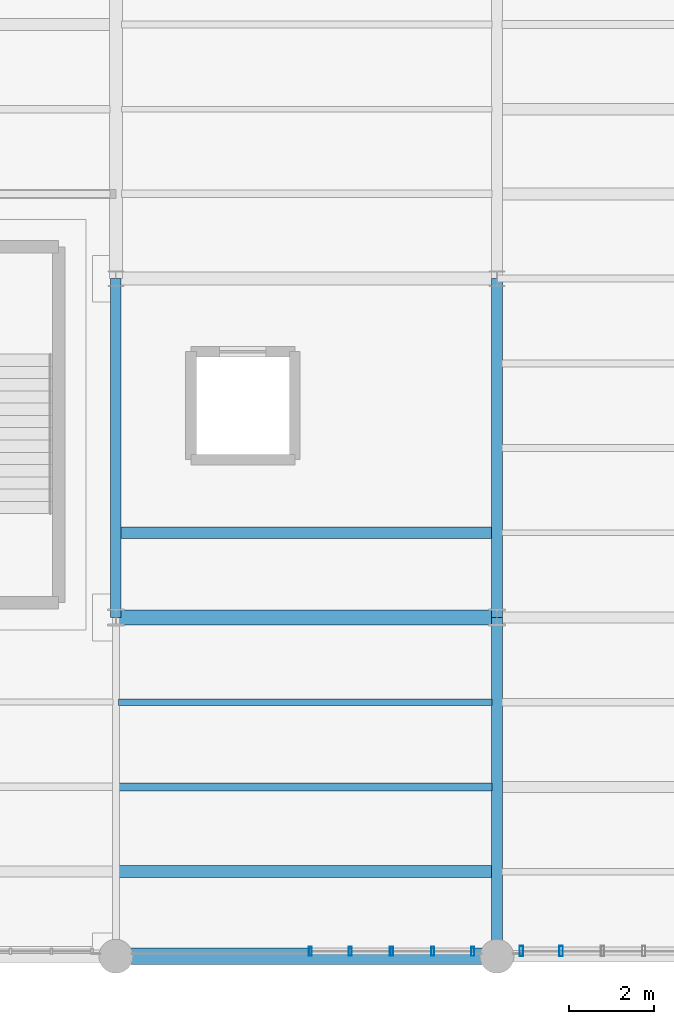
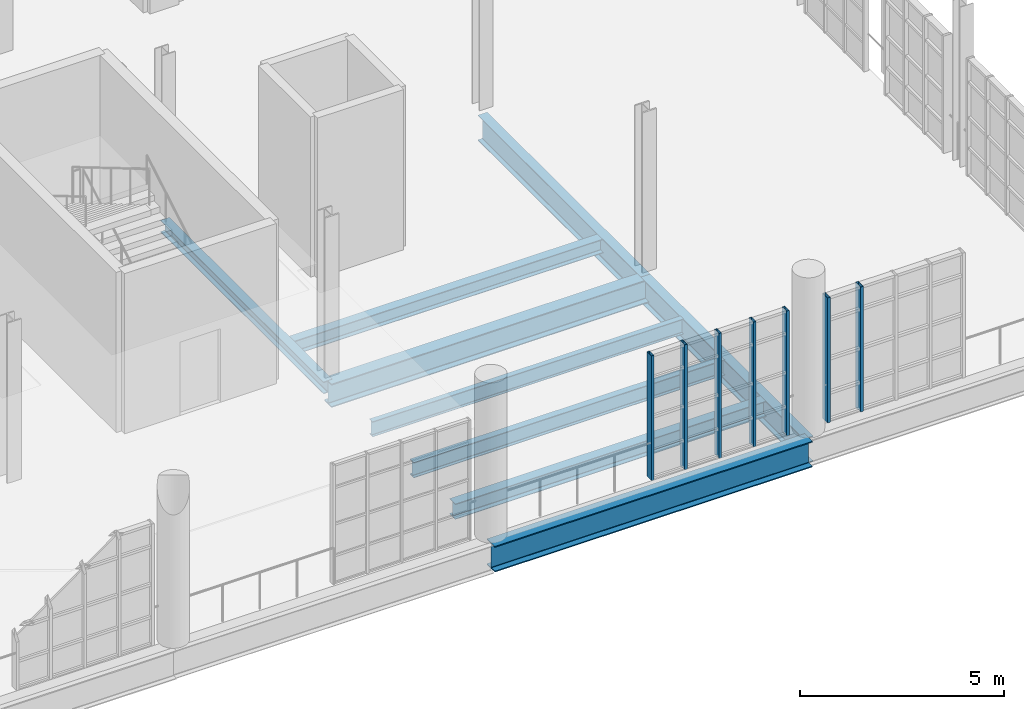
# One storey, part 26 of 122: 9 beams, 7 members, 2 elements without a shape of their own.
"""IFC4 building model written with IfcOpenShell, lengths in metres."""

from ifc_helpers import new_model, si_unit, direction, frame, origin, origin_2d, place, context, subcontext, project, spatial, hollow_rectangle, i_section, extrude, material, layer, layer_set, material_profile, profile_set, type_object, element, aggregate, save


model = new_model("IFC4")

# Units and contexts
model_context = context("Model", 3, precision=1e-05, world=origin(), true_north=direction((0.0, 1.0)))
body_context = subcontext(model_context, "Body", "Model", "MODEL_VIEW")
ifc_project = project(units=[si_unit("LENGTHUNIT", "METRE"), si_unit("AREAUNIT", "SQUARE_METRE"), si_unit("VOLUMEUNIT", "CUBIC_METRE"), si_unit("PLANEANGLEUNIT", "RADIAN"), si_unit("MASSUNIT", "GRAM", prefix="KILO"), si_unit("THERMODYNAMICTEMPERATUREUNIT", "KELVIN"), si_unit("POWERUNIT", "WATT")], contexts=[model_context])

# Site, building, storey
site_placement = place(None, origin())
site = spatial("IfcSite", under=ifc_project, at=site_placement, CompositionType="ELEMENT")
building_placement = place(site_placement, origin())
building = spatial("IfcBuilding", under=site, at=building_placement, Name="Zelmaris Science Centre", CompositionType="ELEMENT")
storey_placement = place(building_placement, frame((0.0, 0.0, 10.800048828125)))
storey = spatial("IfcBuildingStorey", under=building, at=storey_placement, Name="L02", CompositionType="ELEMENT", Elevation=10.800048828125)

# Curtain wall, members
ifc_material_1 = material(Name="Anodised architectural aluminium 6063-T6", Category="aluminium")
ifc_layer_1 = layer(ifc_material_1, 0.199951171875, Name="Anodised architectural aluminium 6063-T6")
ifc_layer_set_1 = layer_set([ifc_layer_1], Name="Anodised architectural aluminium 6063-T6")
curtain_wall_type_1 = type_object("IfcCurtainWallType", Name="Curtain Wall CW-02", PredefinedType="USERDEFINED", material=ifc_layer_set_1)
curtain_wall_1_placement = place(storey_placement, origin())
curtain_wall_1 = element("IfcCurtainWall", 1, at=curtain_wall_1_placement, inside=storey, type_object=curtain_wall_type_1, Name="L02 Unitised curtain wall 238", ObjectType="GLAZED CURTAIN WALL", PredefinedType="USERDEFINED")
ifc_material_profile_1 = material_profile(ifc_material_1, hollow_rectangle(XDim=0.074951171875, YDim=0.219970703125, WallThickness=0.0048828125, at=origin_2d()), Name="ALU-MUL-75X220")
ifc_profile_set_1 = profile_set([ifc_material_profile_1], Name="Anodised architectural aluminium 6063-T6")
member_type_1 = type_object("IfcMemberType", Name="ALU-MUL-75X220", PredefinedType="MULLION", material=ifc_profile_set_1)
member_1_placement = place(storey_placement, frame((134.426513671875, 8.1201171875, -0.01513671875), z_axis=(0.0, 0.0, 1.0), x_axis=(-1.0, 0.0, 0.0)))
member_1 = element("IfcMember", 2, at=member_1_placement, type_object=member_type_1, Name="CW-02 mullion 1", PredefinedType="MULLION", context=body_context, shape_type="SweptSolid", body=[
    extrude(hollow_rectangle(XDim=0.074951171875, YDim=0.219970703125, WallThickness=0.0048828125, at=origin_2d()), origin(), (0.0, 0.0, 1.0), 3.7431640625),
])
member_2_placement = place(storey_placement, frame((133.485107421875, 8.1201171875, -0.01513671875), z_axis=(0.0, 0.0, 1.0), x_axis=(-1.0, 0.0, 0.0)))
member_2 = element("IfcMember", 3, at=member_2_placement, type_object=member_type_1, Name="CW-02 mullion 2", PredefinedType="MULLION", context=body_context, shape_type="SweptSolid", body=[
    extrude(hollow_rectangle(XDim=0.074951171875, YDim=0.219970703125, WallThickness=0.0048828125, at=origin_2d()), origin(), (0.0, 0.0, 1.0), 3.7431640625),
])
member_3_placement = place(storey_placement, frame((132.510009765625, 8.1201171875, -0.01513671875), z_axis=(0.0, 0.0, 1.0), x_axis=(-1.0, 0.0, 0.0)))
member_3 = element("IfcMember", 4, at=member_3_placement, type_object=member_type_1, Name="CW-02 mullion 3", PredefinedType="MULLION", context=body_context, shape_type="SweptSolid", body=[
    extrude(hollow_rectangle(XDim=0.074951171875, YDim=0.219970703125, WallThickness=0.0048828125, at=origin_2d()), origin(), (0.0, 0.0, 1.0), 3.7431640625),
])
member_4_placement = place(storey_placement, frame((131.534912109375, 8.1201171875, -0.01513671875), z_axis=(0.0, 0.0, 1.0), x_axis=(-1.0, 0.0, 0.0)))
member_4 = element("IfcMember", 5, at=member_4_placement, type_object=member_type_1, Name="CW-02 mullion 4", PredefinedType="MULLION", context=body_context, shape_type="SweptSolid", body=[
    extrude(hollow_rectangle(XDim=0.074951171875, YDim=0.219970703125, WallThickness=0.0048828125, at=origin_2d()), origin(), (0.0, 0.0, 1.0), 3.7431640625),
])
member_5_placement = place(storey_placement, frame((130.593505859375, 8.1201171875, -0.01513671875), z_axis=(0.0, 0.0, 1.0), x_axis=(-1.0, 0.0, 0.0)))
member_5 = element("IfcMember", 6, at=member_5_placement, type_object=member_type_1, Name="CW-02 mullion 5", PredefinedType="MULLION", context=body_context, shape_type="SweptSolid", body=[
    extrude(hollow_rectangle(XDim=0.074951171875, YDim=0.219970703125, WallThickness=0.0048828125, at=origin_2d()), origin(), (0.0, 0.0, 1.0), 3.7431640625),
])
aggregate(curtain_wall_1, [member_1, member_2, member_3, member_4, member_5])

ifc_layer_2 = layer(ifc_material_1, 0.18994140625, Name="Anodised architectural aluminium 6063-T6")
ifc_layer_set_2 = layer_set([ifc_layer_2], Name="Anodised architectural aluminium 6063-T6")
curtain_wall_type_2 = type_object("IfcCurtainWallType", Name="Curtain Wall CW-01", PredefinedType="USERDEFINED", material=ifc_layer_set_2)
curtain_wall_2_placement = place(storey_placement, origin())
curtain_wall_2 = element("IfcCurtainWall", 7, at=curtain_wall_2_placement, inside=storey, type_object=curtain_wall_type_2, Name="L02 Unitised curtain wall 237", ObjectType="GLAZED CURTAIN WALL", PredefinedType="USERDEFINED")
ifc_material_profile_2 = material_profile(ifc_material_1, hollow_rectangle(XDim=0.080078125, YDim=0.25, WallThickness=0.0048828125, at=origin_2d()), Name="ALU-MUL-80X250")
ifc_profile_set_2 = profile_set([ifc_material_profile_2], Name="Anodised architectural aluminium 6063-T6")
member_type_2 = type_object("IfcMemberType", Name="ALU-MUL-80X250", PredefinedType="MULLION", material=ifc_profile_set_2)
member_6_placement = place(storey_placement, frame((136.514892578125, 8.1201171875, -0.01513671875), z_axis=(0.0, 0.0, 1.0), x_axis=(-1.0, 0.0, 0.0)))
member_6 = element("IfcMember", 8, at=member_6_placement, type_object=member_type_2, Name="CW-01 mullion 4", PredefinedType="MULLION", context=body_context, shape_type="SweptSolid", body=[
    extrude(hollow_rectangle(XDim=0.080078125, YDim=0.25, WallThickness=0.0048828125, at=origin_2d()), origin(), (0.0, 0.0, 1.0), 3.7431640625),
])
member_7_placement = place(storey_placement, frame((135.575927734375, 8.1201171875, -0.01513671875), z_axis=(0.0, 0.0, 1.0), x_axis=(-1.0, 0.0, 0.0)))
member_7 = element("IfcMember", 9, at=member_7_placement, type_object=member_type_2, Name="CW-01 mullion 5", PredefinedType="MULLION", context=body_context, shape_type="SweptSolid", body=[
    extrude(hollow_rectangle(XDim=0.080078125, YDim=0.25, WallThickness=0.0048828125, at=origin_2d()), origin(), (0.0, 0.0, 1.0), 3.7431640625),
])
aggregate(curtain_wall_2, [member_6, member_7])

# Beams
ifc_material_2 = material(Name="Steel ASTM A992 Grade 50", Category="steel")
ifc_material_profile_3 = material_profile(ifc_material_2, i_section(OverallWidth=0.26708984375, OverallDepth=0.77001953125, WebThickness=0.015625, FlangeThickness=0.025390625, FilletRadius=0.01904296875, at=origin_2d()), Name="W30X132")
ifc_profile_set_3 = profile_set([ifc_material_profile_3], Name="Steel ASTM A992 Grade 50")
beam_type_1 = type_object("IfcBeamType", Name="Beam G-09 W30X132", PredefinedType="BEAM", material=ifc_profile_set_3)
beam_1_placement = place(storey_placement, frame((135.0, 8.0, -0.64501953125), z_axis=(0.0, 1.0, 0.0), x_axis=(-1.0, 0.0, 0.0)))
element("IfcBeam", 10, at=beam_1_placement, inside=storey, type_object=beam_type_1, Name="L02 North-south girder 531", PredefinedType="BEAM", context=body_context, shape_type="SweptSolid", body=[
    extrude(i_section(OverallWidth=0.26708984375, OverallDepth=0.77001953125, WebThickness=0.015625, FlangeThickness=0.025390625, FilletRadius=0.01904296875, at=origin_2d()), origin(), (0.0, 0.0, 1.0), 8.0),
])
ifc_material_profile_4 = material_profile(ifc_material_2, i_section(OverallWidth=0.26708984375, OverallDepth=0.757080078125, WebThickness=0.013916015625, FlangeThickness=0.019287109375, FilletRadius=0.01904296875, at=origin_2d()), Name="W30X108")
ifc_profile_set_4 = profile_set([ifc_material_profile_4], Name="Steel ASTM A992 Grade 50")
beam_type_2 = type_object("IfcBeamType", Name="Beam G-10 W30X108", PredefinedType="BEAM", material=ifc_profile_set_4)
beam_2_placement = place(storey_placement, frame((135.0, 16.0, -0.638427734375), z_axis=(0.0, 1.0, 0.0), x_axis=(-1.0, 0.0, 0.0)))
element("IfcBeam", 11, at=beam_2_placement, inside=storey, type_object=beam_type_2, Name="L02 North-south girder 532", PredefinedType="BEAM", context=body_context, shape_type="SweptSolid", body=[
    extrude(i_section(OverallWidth=0.26708984375, OverallDepth=0.757080078125, WebThickness=0.013916015625, FlangeThickness=0.019287109375, FilletRadius=0.01904296875, at=origin_2d()), origin(), (0.0, 0.0, 1.0), 8.0),
])
ifc_material_profile_5 = material_profile(ifc_material_2, i_section(OverallWidth=0.381103515625, OverallDepth=0.777099609375, WebThickness=0.01806640625, FlangeThickness=0.030029296875, FilletRadius=0.01904296875, at=origin_2d()), Name="W30X191")
ifc_profile_set_5 = profile_set([ifc_material_profile_5], Name="Steel ASTM A992 Grade 50")
beam_type_3 = type_object("IfcBeamType", Name="Beam G-31 W30X191", PredefinedType="BEAM", material=ifc_profile_set_5)
beam_3_placement = place(storey_placement, frame((126.0, 8.0, -0.6484375), z_axis=(1.0, 0.0, 0.0), x_axis=(0.0, 1.0, 0.0)))
element("IfcBeam", 12, at=beam_3_placement, inside=storey, type_object=beam_type_3, Name="L02 East-west girder 547", PredefinedType="BEAM", context=body_context, shape_type="SweptSolid", body=[
    extrude(i_section(OverallWidth=0.381103515625, OverallDepth=0.777099609375, WebThickness=0.01806640625, FlangeThickness=0.030029296875, FilletRadius=0.01904296875, at=origin_2d()), origin(), (0.0, 0.0, 1.0), 9.0),
])
ifc_material_profile_6 = material_profile(ifc_material_2, i_section(OverallWidth=0.35595703125, OverallDepth=0.700927734375, WebThickness=0.016845703125, FlangeThickness=0.02734375, FilletRadius=0.01806640625, at=origin_2d()), Name="W27X161")
ifc_profile_set_6 = profile_set([ifc_material_profile_6], Name="Steel ASTM A992 Grade 50")
beam_type_4 = type_object("IfcBeamType", Name="Beam G-35 W27X161", PredefinedType="BEAM", material=ifc_profile_set_6)
beam_4_placement = place(storey_placement, frame((126.0, 16.0, -0.610595703125), z_axis=(1.0, 0.0, 0.0), x_axis=(0.0, 1.0, 0.0)))
element("IfcBeam", 13, at=beam_4_placement, inside=storey, type_object=beam_type_4, Name="L02 East-west girder 551", PredefinedType="BEAM", context=body_context, shape_type="SweptSolid", body=[
    extrude(i_section(OverallWidth=0.35595703125, OverallDepth=0.700927734375, WebThickness=0.016845703125, FlangeThickness=0.02734375, FilletRadius=0.01806640625, at=origin_2d()), origin(), (0.0, 0.0, 1.0), 9.0),
])
ifc_material_profile_7 = material_profile(ifc_material_2, i_section(OverallWidth=0.25390625, OverallDepth=0.35595703125, WebThickness=0.010498046875, FlangeThickness=0.018310546875, FilletRadius=0.014892578125, at=origin_2d()), Name="W14X68")
ifc_profile_set_7 = profile_set([ifc_material_profile_7], Name="Steel ASTM A992 Grade 50")
beam_type_5 = type_object("IfcBeamType", Name="Beam G-41 W14X68", PredefinedType="BEAM", material=ifc_profile_set_7)
beam_5_placement = place(storey_placement, frame((126.0, 16.0, -0.43798828125), z_axis=(0.0, 1.0, 0.0), x_axis=(-1.0, 0.0, 0.0)))
element("IfcBeam", 14, at=beam_5_placement, inside=storey, type_object=beam_type_5, Name="L02 North-south girder 526", PredefinedType="BEAM", context=body_context, shape_type="SweptSolid", body=[
    extrude(i_section(OverallWidth=0.25390625, OverallDepth=0.35595703125, WebThickness=0.010498046875, FlangeThickness=0.018310546875, FilletRadius=0.014892578125, at=origin_2d()), origin(), (0.0, 0.0, 1.0), 8.0),
])
ifc_material_profile_8 = material_profile(ifc_material_2, i_section(OverallWidth=0.279052734375, OverallDepth=0.4619140625, WebThickness=0.0107421875, FlangeThickness=0.017333984375, FilletRadius=0.012939453125, at=origin_2d()), Name="W18X76")
ifc_profile_set_8 = profile_set([ifc_material_profile_8], Name="Steel ASTM A992 Grade 50")
beam_type_6 = type_object("IfcBeamType", Name="Beam J-03 W18X76", PredefinedType="JOIST", material=ifc_profile_set_8)
beam_6_placement = place(storey_placement, frame((126.0673828125, 10.0, -0.490966796875), z_axis=(1.0, 0.0, 0.0), x_axis=(0.0, 1.0, 0.0)))
element("IfcBeam", 15, at=beam_6_placement, inside=storey, type_object=beam_type_6, Name="L02 Composite floor joist 290", PredefinedType="JOIST", context=body_context, shape_type="SweptSolid", body=[
    extrude(i_section(OverallWidth=0.279052734375, OverallDepth=0.4619140625, WebThickness=0.0107421875, FlangeThickness=0.017333984375, FilletRadius=0.012939453125, at=origin_2d()), origin(), (0.0, 0.0, 1.0), 8.814208984375),
])
ifc_material_profile_9 = material_profile(ifc_material_2, i_section(OverallWidth=0.19091796875, OverallDepth=0.4599609375, WebThickness=0.010009765625, FlangeThickness=0.01611328125, FilletRadius=0.012939453125, at=origin_2d()), Name="W18X55")
ifc_profile_set_9 = profile_set([ifc_material_profile_9], Name="Steel ASTM A992 Grade 50")
beam_type_7 = type_object("IfcBeamType", Name="Beam J-04 W18X55", PredefinedType="JOIST", material=ifc_profile_set_9)
beam_7_placement = place(storey_placement, frame((126.0673828125, 12.0, -0.489990234375), z_axis=(1.0, 0.0, 0.0), x_axis=(0.0, 1.0, 0.0)))
element("IfcBeam", 16, at=beam_7_placement, inside=storey, type_object=beam_type_7, Name="L02 Composite floor joist 291", PredefinedType="JOIST", context=body_context, shape_type="SweptSolid", body=[
    extrude(i_section(OverallWidth=0.19091796875, OverallDepth=0.4599609375, WebThickness=0.010009765625, FlangeThickness=0.01611328125, FilletRadius=0.012939453125, at=origin_2d()), origin(), (0.0, 0.0, 1.0), 8.814208984375),
])
ifc_material_profile_10 = material_profile(ifc_material_2, i_section(OverallWidth=0.152099609375, OverallDepth=0.455078125, WebThickness=0.008056640625, FlangeThickness=0.01318359375, FilletRadius=0.012939453125, at=origin_2d()), Name="W18X40")
ifc_profile_set_10 = profile_set([ifc_material_profile_10], Name="Steel ASTM A992 Grade 50")
beam_type_8 = type_object("IfcBeamType", Name="Beam J-05 W18X40", PredefinedType="JOIST", material=ifc_profile_set_10)
beam_8_placement = place(storey_placement, frame((126.0673828125, 14.0, -0.487548828125), z_axis=(1.0, 0.0, 0.0), x_axis=(0.0, 1.0, 0.0)))
element("IfcBeam", 17, at=beam_8_placement, inside=storey, type_object=beam_type_8, Name="L02 Composite floor joist 292", PredefinedType="JOIST", context=body_context, shape_type="SweptSolid", body=[
    extrude(i_section(OverallWidth=0.152099609375, OverallDepth=0.455078125, WebThickness=0.008056640625, FlangeThickness=0.01318359375, FilletRadius=0.012939453125, at=origin_2d()), origin(), (0.0, 0.0, 1.0), 8.814208984375),
])
ifc_material_profile_11 = material_profile(ifc_material_2, i_section(OverallWidth=0.260009765625, OverallDepth=0.4140625, WebThickness=0.010009765625, FlangeThickness=0.016845703125, FilletRadius=0.011962890625, at=origin_2d()), Name="W16X67")
ifc_profile_set_11 = profile_set([ifc_material_profile_11], Name="Steel ASTM A992 Grade 50")
beam_type_9 = type_object("IfcBeamType", Name="Beam J-06 W16X67", PredefinedType="JOIST", material=ifc_profile_set_11)
beam_9_placement = place(storey_placement, frame((126.112060546875, 18.0, -0.467041015625), z_axis=(1.0, 0.0, 0.0), x_axis=(0.0, 1.0, 0.0)))
element("IfcBeam", 18, at=beam_9_placement, inside=storey, type_object=beam_type_9, Name="L02 Composite floor joist 293", PredefinedType="JOIST", context=body_context, shape_type="SweptSolid", body=[
    extrude(i_section(OverallWidth=0.260009765625, OverallDepth=0.4140625, WebThickness=0.010009765625, FlangeThickness=0.016845703125, FilletRadius=0.011962890625, at=origin_2d()), origin(), (0.0, 0.0, 1.0), 8.76953125),
])

save(model, "model.ifc")
